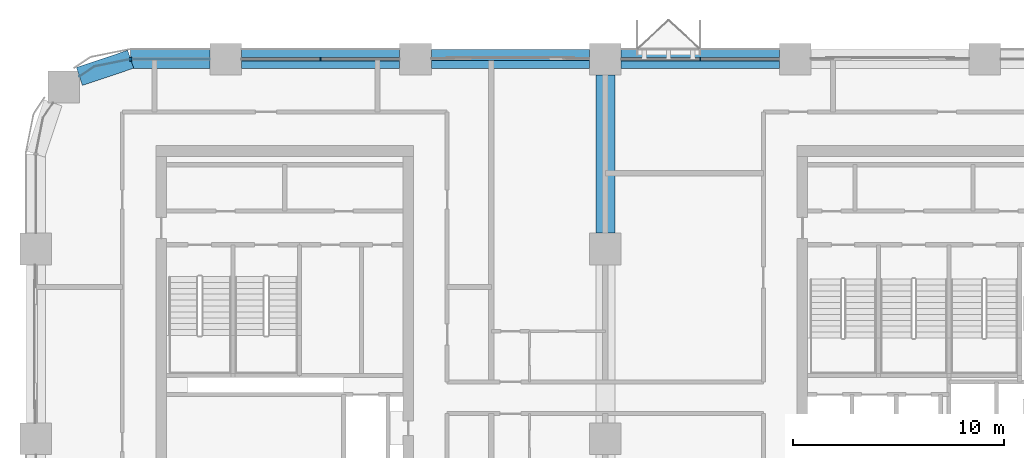
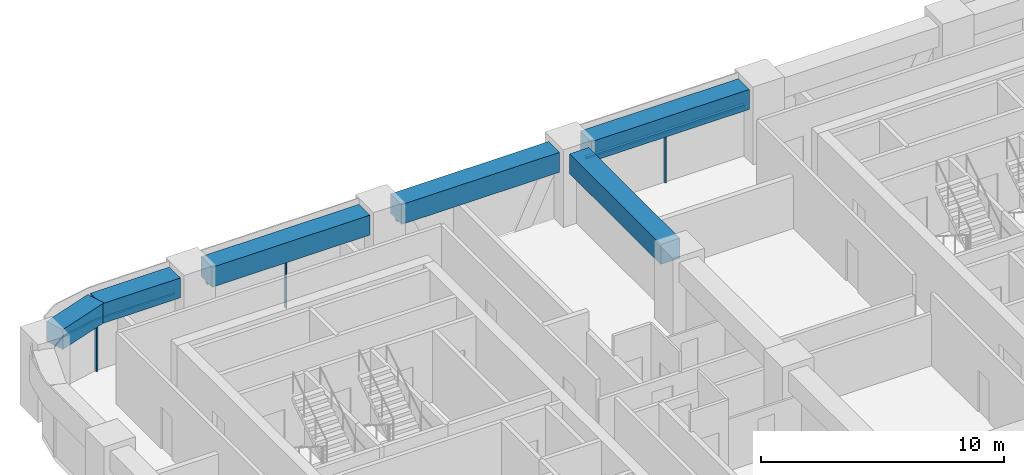
# One storey, part 4 of 13: 7 members, 6 beams, 4 elements without a shape of their own.
"""IFC4 building model written with IfcOpenShell, lengths in metres."""

from ifc_helpers import new_model, si_unit, direction, frame, origin, origin_2d, place, context, subcontext, project, spatial, polyline, rectangle, outline, extrude, material, material_profile, profile_set, type_object, element, aggregate, save


model = new_model("IFC4")

# Units and contexts
model_context = context("Model", 3, precision=1e-05, world=origin(), true_north=direction((0.0, 1.0)))
body_context = subcontext(model_context, "Body", "Model", "MODEL_VIEW")
ifc_project = project(units=[si_unit("LENGTHUNIT", "METRE"), si_unit("AREAUNIT", "SQUARE_METRE"), si_unit("VOLUMEUNIT", "CUBIC_METRE"), si_unit("PLANEANGLEUNIT", "RADIAN"), si_unit("MASSUNIT", "GRAM", prefix="KILO")], contexts=[model_context])

# Site, building, storey
site_placement = place(None, origin())
site = spatial("IfcSite", under=ifc_project, at=site_placement, CompositionType="ELEMENT")
building_placement = place(site_placement, origin())
building = spatial("IfcBuilding", under=site, at=building_placement, Name="Tessera Arch", CompositionType="ELEMENT")
storey_placement = place(building_placement, frame((0.0, 0.0, 162.199951171875)))
storey = spatial("IfcBuildingStorey", under=building, at=storey_placement, Name="L38", CompositionType="ELEMENT", Elevation=162.199951171875)

# Curtain wall, member
ifc_material_1 = material(Name="CW1 curtain wall")
curtain_wall_type_1 = type_object("IfcCurtainWallType", Name="CW1 curtain wall", PredefinedType="NOTDEFINED", material=ifc_material_1)
curtain_wall_1_placement = place(storey_placement, origin())
curtain_wall_1 = element("IfcCurtainWall", 1, at=curtain_wall_1_placement, inside=storey, type_object=curtain_wall_type_1, Name="CW1 curtain wall N54.0/2 L38", PredefinedType="NOTDEFINED")
ifc_material_2 = material(Name="Anodised aluminium pale metal", Category="aluminium")
ifc_material_profile_1 = material_profile(ifc_material_2, rectangle(XDim=0.159912109375, YDim=0.06005859375, at=origin_2d()), Name="AL 60x160")
ifc_profile_set_1 = profile_set([ifc_material_profile_1], Name="Anodised aluminium pale metal")
member_type_1 = type_object("IfcMemberType", Name="CW1 mullion", PredefinedType="MULLION", material=ifc_profile_set_1)
member_1_placement = place(storey_placement, frame((31.5, 54.0, 0.0), z_axis=(0.0, 0.0, 1.0), x_axis=(0.0, -1.0, 0.0)))
member_1 = element("IfcMember", 2, at=member_1_placement, type_object=member_type_1, Name="CW1 mullion N54.0/2 1", PredefinedType="MULLION", context=body_context, shape_type="SweptSolid", body=[
    extrude(rectangle(XDim=0.159912109375, YDim=0.06005859375, at=origin_2d()), origin(), (0.0, 0.0, 1.0), 2.5),
])

curtain_wall_2_placement = place(storey_placement, origin())
curtain_wall_2 = element("IfcCurtainWall", 3, at=curtain_wall_2_placement, inside=storey, type_object=curtain_wall_type_1, Name="CW1 curtain wall N54.0/4 L38", PredefinedType="NOTDEFINED")
member_2_placement = place(storey_placement, frame((13.5, 54.0, 0.0), z_axis=(0.0, 0.0, 1.0), x_axis=(0.0, -1.0, 0.0)))
member_2 = element("IfcMember", 4, at=member_2_placement, type_object=member_type_1, Name="CW1 mullion N54.0/4 1", PredefinedType="MULLION", context=body_context, shape_type="SweptSolid", body=[
    extrude(rectangle(XDim=0.159912109375, YDim=0.06005859375, at=origin_2d()), origin(), (0.0, 0.0, 1.0), 2.5),
])

# Member
ifc_material_3 = material(Name="Anodised aluminium pale metal", Category="aluminium")
ifc_material_profile_2 = material_profile(ifc_material_3, rectangle(XDim=0.159912109375, YDim=0.10009765625, at=origin_2d()), Name="AL 160x100")
ifc_profile_set_2 = profile_set([ifc_material_profile_2], Name="Anodised aluminium pale metal")
member_type_2 = type_object("IfcMemberType", Name="CW1 transom", PredefinedType="USERDEFINED", material=ifc_profile_set_2)
member_3_placement = place(storey_placement, frame((35.25, 54.0, 2.550048828125), z_axis=(-1.0, 0.0, 0.0), x_axis=(0.0, -1.0, 0.0)))
member_3 = element("IfcMember", 5, at=member_3_placement, type_object=member_type_2, Name="CW1 transom N54.0/2 1.1", ObjectType="TRANSOM", PredefinedType="USERDEFINED", context=body_context, shape_type="SweptSolid", body=[
    extrude(rectangle(XDim=0.159912109375, YDim=0.10009765625, at=origin_2d()), origin(), (0.0, 0.0, 1.0), 7.5),
])

aggregate(curtain_wall_1, [member_1, member_3])

member_4_placement = place(storey_placement, frame((17.25, 54.0, 2.550048828125), z_axis=(-1.0, 0.0, 0.0), x_axis=(0.0, -1.0, 0.0)))
member_4 = element("IfcMember", 6, at=member_4_placement, type_object=member_type_2, Name="CW1 transom N54.0/4 1.1", ObjectType="TRANSOM", PredefinedType="USERDEFINED", context=body_context, shape_type="SweptSolid", body=[
    extrude(rectangle(XDim=0.159912109375, YDim=0.10009765625, at=origin_2d()), origin(), (0.0, 0.0, 1.0), 7.5),
])

aggregate(curtain_wall_2, [member_2, member_4])

# Curtain wall, members
ifc_material_4 = material(Name="CW2 curtain wall")
curtain_wall_type_2 = type_object("IfcCurtainWallType", Name="CW2 curtain wall", PredefinedType="NOTDEFINED", material=ifc_material_4)
curtain_wall_3_placement = place(storey_placement, origin())
curtain_wall_3 = element("IfcCurtainWall", 7, at=curtain_wall_3_placement, inside=storey, type_object=curtain_wall_type_2, Name="CW2 curtain wall N54.0/5 L38", PredefinedType="NOTDEFINED")
ifc_material_5 = material(Name="Anodised aluminium pale metal", Category="aluminium")
ifc_material_profile_3 = material_profile(ifc_material_5, rectangle(XDim=0.199951171875, YDim=0.080078125, at=origin_2d()), Name="AL 80x200")
ifc_profile_set_3 = profile_set([ifc_material_profile_3], Name="Anodised aluminium pale metal")
member_type_3 = type_object("IfcMemberType", Name="CW2 mullion", PredefinedType="MULLION", material=ifc_profile_set_3)
member_5_placement = place(storey_placement, frame((4.5, 54.0, 0.0), z_axis=(0.0, 0.0, 1.0), x_axis=(0.0, -1.0, 0.0)))
member_5 = element("IfcMember", 8, at=member_5_placement, type_object=member_type_3, Name="CW2 mullion N54.0/5 1", PredefinedType="MULLION", context=body_context, shape_type="SweptSolid", body=[
    extrude(rectangle(XDim=0.199951171875, YDim=0.080078125, at=origin_2d()), origin(), (0.0, 0.0, 1.0), 2.5),
])
ifc_material_6 = material(Name="Anodised aluminium pale metal", Category="aluminium")
ifc_material_profile_4 = material_profile(ifc_material_6, rectangle(XDim=0.199951171875, YDim=0.10009765625, at=origin_2d()), Name="AL 200x100")
ifc_profile_set_4 = profile_set([ifc_material_profile_4], Name="Anodised aluminium pale metal")
member_type_4 = type_object("IfcMemberType", Name="CW2 transom", PredefinedType="USERDEFINED", material=ifc_profile_set_4)
member_6_placement = place(storey_placement, frame((0.0, 0.0, 2.5)))
member_6 = element("IfcMember", 9, at=member_6_placement, type_object=member_type_4, Name="CW2 transom N54.0/5 1", ObjectType="TRANSOM", PredefinedType="USERDEFINED", context=body_context, shape_type="SweptSolid", body=[
    extrude(outline(polyline([(4.5009765625, 53.989990234375), (8.25, 53.989990234375), (8.25, 54.010009765625), (4.4990234375, 54.010009765625), (2.77392578125, 53.6669921875), (2.0625, 53.19140625), (2.073486328125, 53.1748046875), (2.78173828125, 53.648193359375), (4.5009765625, 53.989990234375)])), origin(), (0.0, 0.0, 1.0), 0.10009765625),
])
aggregate(curtain_wall_3, [member_5, member_6])

# Curtain wall, member
ifc_material_7 = material(Name="CW3 curtain wall")
curtain_wall_type_3 = type_object("IfcCurtainWallType", Name="CW3 curtain wall", PredefinedType="NOTDEFINED", material=ifc_material_7)
curtain_wall_4_placement = place(storey_placement, origin())
curtain_wall_4 = element("IfcCurtainWall", 10, at=curtain_wall_4_placement, inside=storey, type_object=curtain_wall_type_3, Name="CW3 curtain wall N54.0/3 L38", PredefinedType="NOTDEFINED")
ifc_material_8 = material(Name="Anodised aluminium pale metal", Category="aluminium")
ifc_material_profile_5 = material_profile(ifc_material_8, rectangle(XDim=0.139892578125, YDim=0.10009765625, at=origin_2d()), Name="AL 140x100")
ifc_profile_set_5 = profile_set([ifc_material_profile_5], Name="Anodised aluminium pale metal")
member_type_5 = type_object("IfcMemberType", Name="CW3 transom", PredefinedType="USERDEFINED", material=ifc_profile_set_5)
member_7_placement = place(storey_placement, frame((26.25, 54.0, 2.550048828125), z_axis=(-1.0, 0.0, 0.0), x_axis=(0.0, -1.0, 0.0)))
member_7 = element("IfcMember", 11, at=member_7_placement, type_object=member_type_5, Name="CW3 transom N54.0/3 1.1", ObjectType="TRANSOM", PredefinedType="USERDEFINED", context=body_context, shape_type="SweptSolid", body=[
    extrude(rectangle(XDim=0.139892578125, YDim=0.10009765625, at=origin_2d()), origin(), (0.0, 0.0, 1.0), 7.5),
])
aggregate(curtain_wall_4, [member_7])

# Beams
ifc_material_9 = material(Name="Concrete C70/85", Category="concrete")
ifc_material_profile_6 = material_profile(ifc_material_9, rectangle(XDim=0.89990234375, YDim=1.0, at=origin_2d()), Name="RC spandrel beam 900 x 1000 Concrete C70/85")
ifc_profile_set_6 = profile_set([ifc_material_profile_6], Name="Concrete C70/85")
beam_type = type_object("IfcBeamType", Name="RC spandrel beam 900 x 1000 Concrete C70/85", PredefinedType="BEAM", material=ifc_profile_set_6)
for number, where, z_axis, x_axis, name in (
    (12, (35.25, 54.0, 3.10009765625), (-1.0, 0.0, 0.0), (0.0, -1.0, 0.0), "Spandrel beam L38 N54.0/2"),
    (13, (26.25, 54.0, 3.10009765625), (-1.0, 0.0, 0.0), (0.0, -1.0, 0.0), "Spandrel beam L38 N54.0/3"),
    (14, (17.25, 54.0, 3.10009765625), (-1.0, 0.0, 0.0), (0.0, -1.0, 0.0), "Spandrel beam L38 N54.0/4"),
):
    element("IfcBeam", number, at=place(storey_placement, frame(where, z_axis=z_axis, x_axis=x_axis)), inside=storey, type_object=beam_type, Name=name, PredefinedType="BEAM", context=body_context, shape_type="SweptSolid", body=[
        extrude(rectangle(XDim=0.89990234375, YDim=1.0, at=origin_2d()), origin(), (0.0, 0.0, 1.0), 7.5),
    ])
beam_1_placement = place(storey_placement, frame((8.25, 54.0, 3.10009765625), z_axis=(-1.0, 0.0, 0.0), x_axis=(0.0, -1.0, 0.0)))
element("IfcBeam", 15, at=beam_1_placement, inside=storey, type_object=beam_type, Name="Spandrel beam L38 N54.0/5.1", PredefinedType="BEAM", context=body_context, shape_type="SweptSolid", body=[
    extrude(rectangle(XDim=0.89990234375, YDim=1.0, at=origin_2d()), origin(), (0.0, 0.0, 1.0), 3.75),
])
beam_2_placement = place(storey_placement, frame((4.5, 54.0, 3.10009765625), z_axis=(-0.947947973234, -0.31842525032, 0.0), x_axis=(0.31842525032, -0.947947973234, 0.0)))
element("IfcBeam", 16, at=beam_2_placement, inside=storey, type_object=beam_type, Name="Spandrel beam L38 N54.0/5.2", PredefinedType="BEAM", context=body_context, shape_type="SweptSolid", body=[
    extrude(rectangle(XDim=0.89990234375, YDim=1.0, at=origin_2d()), origin(), (0.0, 0.0, 1.0), 2.5654296875),
])
beam_3_placement = place(storey_placement, frame((27.0, 45.75, 3.10009765625), z_axis=(0.0, 1.0, 0.0), x_axis=(-1.0, 0.0, 0.0)))
element("IfcBeam", 17, at=beam_3_placement, inside=storey, type_object=beam_type, Name="Interface beam L38 I0C4F-C4G", PredefinedType="BEAM", context=body_context, shape_type="SweptSolid", body=[
    extrude(rectangle(XDim=0.89990234375, YDim=1.0, at=origin_2d()), origin(), (0.0, 0.0, 1.0), 7.5),
])

save(model, "model.ifc")
